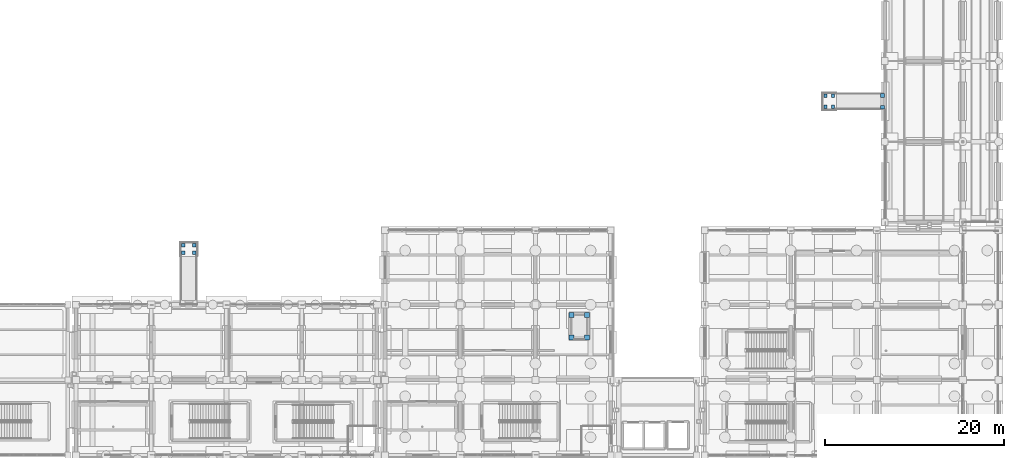
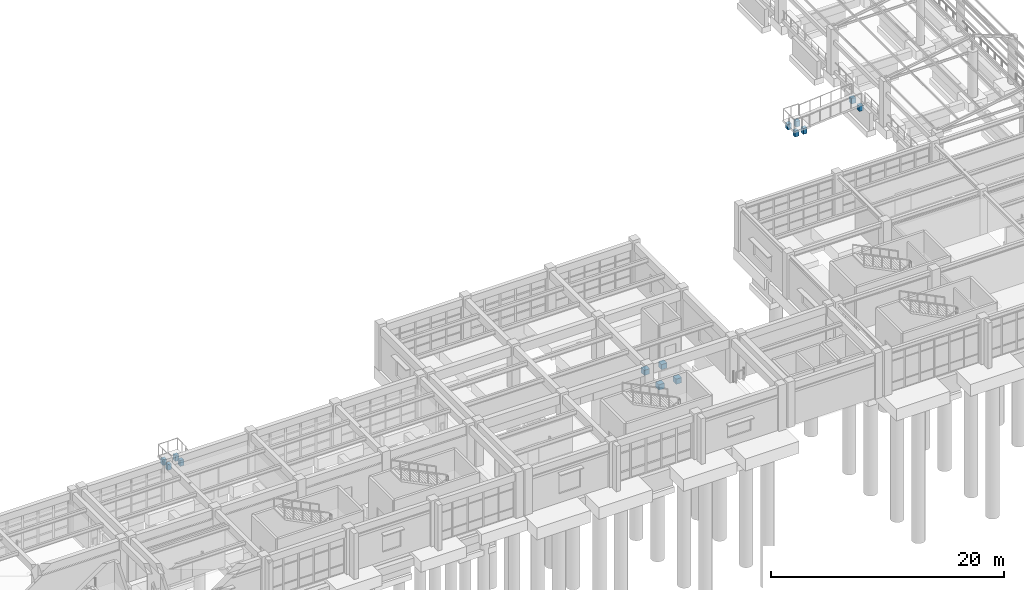
# One storey, part 4 of 111: 14 footings.
"""IFC4 building model written with IfcOpenShell, lengths in metres."""

from ifc_helpers import new_model, si_unit, direction, frame, origin, origin_2d, place, context, subcontext, project, spatial, rectangle, extrude, material, type_object, element, save


model = new_model("IFC4")

# Units and contexts
model_context = context("Model", 3, precision=1e-05, world=origin(), true_north=direction((0.0, 1.0)))
body_context = subcontext(model_context, "Body", "Model", "MODEL_VIEW")
ifc_project = project(units=[si_unit("LENGTHUNIT", "METRE"), si_unit("AREAUNIT", "SQUARE_METRE"), si_unit("VOLUMEUNIT", "CUBIC_METRE"), si_unit("PLANEANGLEUNIT", "RADIAN"), si_unit("MASSUNIT", "GRAM", prefix="KILO")], contexts=[model_context])

# Site, building, storey
site_placement = place(None, origin())
site = spatial("IfcSite", under=ifc_project, at=site_placement, CompositionType="ELEMENT")
building_placement = place(site_placement, origin())
building = spatial("IfcBuilding", under=site, at=building_placement, Name="Canglan Escarpment Cableway Terminal", CompositionType="ELEMENT")
storey_placement = place(building_placement, frame((0.0, 0.0, 4.800048828125)))
storey = spatial("IfcBuildingStorey", under=building, at=storey_placement, Name="L01", CompositionType="ELEMENT", Elevation=4.800048828125)

# Footings
ifc_material = material(Name="Concrete C40", Category="concrete")
footing_type_1 = type_object("IfcFootingType", Name="FTG-PAD-380x380x600", PredefinedType="PAD_FOOTING", material=ifc_material)
for number, where, z_axis, x_axis, name in (
    (1, (88.97998046875, 30.580078125, -1.25), (0.0, 0.0, 1.0), (1.0, 0.0, 0.0), "Reinforced concrete auxiliary pad footing PF-12"),
    (2, (90.219970703125, 30.580078125, -1.25), (0.0, 0.0, 1.0), (1.0, 0.0, 0.0), "Reinforced concrete auxiliary pad footing PF-12"),
    (3, (90.219970703125, 31.419921875, -1.25), (0.0, 0.0, 1.0), (1.0, 0.0, 0.0), "Reinforced concrete auxiliary pad footing PF-12"),
    (4, (88.97998046875, 31.419921875, -1.25), (0.0, 0.0, 1.0), (1.0, 0.0, 0.0), "Reinforced concrete auxiliary pad footing PF-12"),
    (5, (160.679931640625, 46.8798828125, -1.25), (0.0, 0.0, 1.0), (1.0, 0.0, 0.0), "Reinforced concrete auxiliary pad footing PF-12"),
    (6, (161.52001953125, 46.8798828125, -1.25), (0.0, 0.0, 1.0), (1.0, 0.0, 0.0), "Reinforced concrete auxiliary pad footing PF-12"),
    (7, (161.52001953125, 48.1201171875, -1.25), (0.0, 0.0, 1.0), (1.0, 0.0, 0.0), "Reinforced concrete auxiliary pad footing PF-12"),
    (8, (160.679931640625, 48.1201171875, -1.25), (0.0, 0.0, 1.0), (1.0, 0.0, 0.0), "Reinforced concrete auxiliary pad footing PF-12"),
):
    element("IfcFooting", number, at=place(storey_placement, frame(where, z_axis=z_axis, x_axis=x_axis)), inside=storey, type_object=footing_type_1, Name=name, PredefinedType="PAD_FOOTING", context=body_context, shape_type="SweptSolid", body=[
        extrude(rectangle(XDim=0.3798828125, YDim=0.3798828125, at=origin_2d()), origin(), (0.0, 0.0, 1.0), 0.60009765625),
    ])
footing_type_2 = type_object("IfcFootingType", Name="FTG-PAD-420x420x550", PredefinedType="PAD_FOOTING", material=ifc_material)
for number, where, z_axis, x_axis, name in (
    (9, (167.050048828125, 46.85009765625, -0.75), (0.0, 0.0, 1.0), (1.0, 0.0, 0.0), "Reinforced concrete auxiliary pad footing PF-13"),
    (10, (167.050048828125, 48.14990234375, -0.75), (0.0, 0.0, 1.0), (1.0, 0.0, 0.0), "Reinforced concrete auxiliary pad footing PF-13"),
):
    element("IfcFooting", number, at=place(storey_placement, frame(where, z_axis=z_axis, x_axis=x_axis)), inside=storey, type_object=footing_type_2, Name=name, PredefinedType="PAD_FOOTING", context=body_context, shape_type="SweptSolid", body=[
        extrude(rectangle(XDim=0.419921875, YDim=0.419921875, at=origin_2d()), origin(), (0.0, 0.0, 1.0), 0.550048828125),
    ])
footing_type_3 = type_object("IfcFootingType", Name="FTG-PAD-550x550x550", PredefinedType="PAD_FOOTING", material=ifc_material)
for number, where, z_axis, x_axis, name in (
    (11, (132.340087890625, 21.139892578125, -2.18994140625), (0.0, 0.0, 1.0), (1.0, 0.0, 0.0), "Reinforced concrete auxiliary pad footing PF-14"),
    (12, (134.06005859375, 21.139892578125, -2.18994140625), (0.0, 0.0, 1.0), (1.0, 0.0, 0.0), "Reinforced concrete auxiliary pad footing PF-14"),
    (13, (134.06005859375, 23.659912109375, -2.18994140625), (0.0, 0.0, 1.0), (1.0, 0.0, 0.0), "Reinforced concrete auxiliary pad footing PF-14"),
    (14, (132.340087890625, 23.659912109375, -2.18994140625), (0.0, 0.0, 1.0), (1.0, 0.0, 0.0), "Reinforced concrete auxiliary pad footing PF-14"),
):
    element("IfcFooting", number, at=place(storey_placement, frame(where, z_axis=z_axis, x_axis=x_axis)), inside=storey, type_object=footing_type_3, Name=name, PredefinedType="PAD_FOOTING", context=body_context, shape_type="SweptSolid", body=[
        extrude(rectangle(XDim=0.550048828125, YDim=0.550048828125, at=origin_2d()), origin(), (0.0, 0.0, 1.0), 0.550048828125),
    ])

save(model, "model.ifc")
